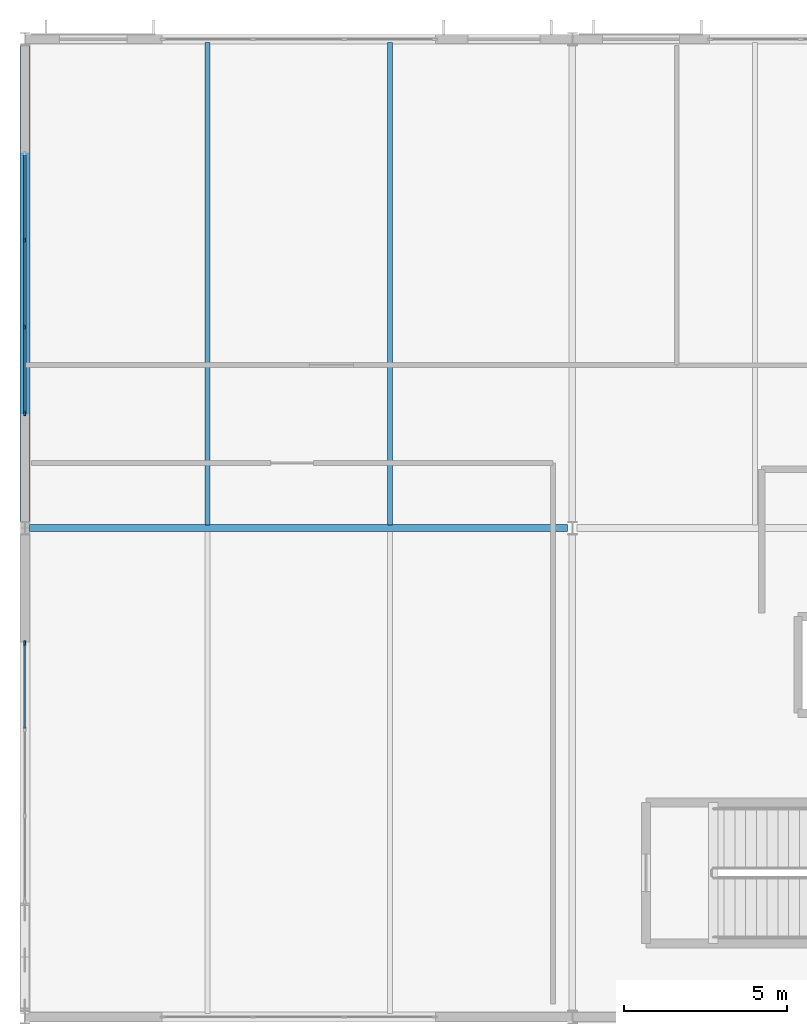
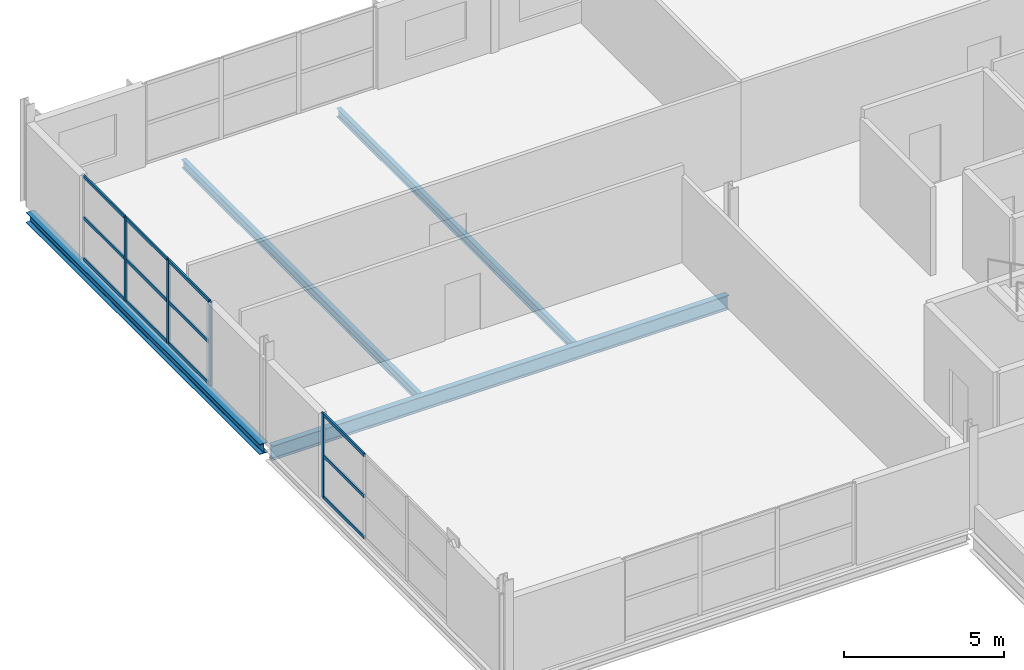
# One storey, part 12 of 36: 16 members, 4 beams, 2 elements without a shape of their own.
"""IFC4 building model written with IfcOpenShell, lengths in metres."""

from ifc_helpers import new_model, si_unit, direction, frame, origin, origin_2d, place, context, subcontext, project, spatial, rectangle, i_section, extrude, material, material_profile, profile_set, type_object, element, aggregate, save


model = new_model("IFC4")

# Units and contexts
model_context = context("Model", 3, precision=1e-05, world=origin(), true_north=direction((0.0, 1.0)))
body_context = subcontext(model_context, "Body", "Model", "MODEL_VIEW")
ifc_project = project(units=[si_unit("LENGTHUNIT", "METRE"), si_unit("AREAUNIT", "SQUARE_METRE"), si_unit("VOLUMEUNIT", "CUBIC_METRE"), si_unit("PLANEANGLEUNIT", "RADIAN"), si_unit("MASSUNIT", "GRAM", prefix="KILO")], contexts=[model_context])

# Site, building, storey
site_placement = place(None, origin())
site = spatial("IfcSite", under=ifc_project, at=site_placement, CompositionType="ELEMENT")
building_placement = place(site_placement, origin())
building = spatial("IfcBuilding", under=site, at=building_placement, Name="Kimbaza Rail Terminus", CompositionType="ELEMENT")
storey_placement = place(building_placement, frame((0.0, 0.0, 21.0)))
storey = spatial("IfcBuildingStorey", under=building, at=storey_placement, Name="L04", CompositionType="ELEMENT", Elevation=21.0)

# Curtain wall, member
ifc_material_1 = material(Name="Anodised aluminium framing and solar low-E glazing", Category="aluminium")
curtain_wall_type = type_object("IfcCurtainWallType", Name="ARC-CW-OP2", PredefinedType="USERDEFINED", material=ifc_material_1)
curtain_wall_1_placement = place(storey_placement, origin())
curtain_wall_1 = element("IfcCurtainWall", 1, at=curtain_wall_1_placement, inside=storey, type_object=curtain_wall_type, Name="Operations W Curtain Wall L04.1", ObjectType="STICK CURTAIN WALL", PredefinedType="USERDEFINED")
ifc_material_2 = material(Name="Anodised architectural aluminium", Category="aluminium")
ifc_material_profile_1 = material_profile(ifc_material_2, rectangle(XDim=0.05810546875, YDim=0.14990234375, at=origin_2d()), Name="MULLION 58x150")
ifc_profile_set_1 = profile_set([ifc_material_profile_1], Name="Anodised architectural aluminium")
member_type_1 = type_object("IfcMemberType", Name="ARC-CWM-06", PredefinedType="MULLION", material=ifc_profile_set_1)
member_1_placement = place(storey_placement, frame((55.199951171875, 114.470947265625, 0.0), z_axis=(0.0, 0.0, 1.0), x_axis=(-1.0, 0.0, 0.0)))
member_1 = element("IfcMember", 2, at=member_1_placement, type_object=member_type_1, Name="CW-06 mullion 4", PredefinedType="MULLION", context=body_context, shape_type="SweptSolid", body=[
    extrude(rectangle(XDim=0.05810546875, YDim=0.14990234375, at=origin_2d()), origin(), (0.0, 0.0, 1.0), 3.205078125),
])

# Curtain wall, members
curtain_wall_2_placement = place(storey_placement, origin())
curtain_wall_2 = element("IfcCurtainWall", 3, at=curtain_wall_2_placement, inside=storey, type_object=curtain_wall_type, Name="Operations W Curtain Wall L04.2", ObjectType="STICK CURTAIN WALL", PredefinedType="USERDEFINED")
member_2_placement = place(storey_placement, frame((55.199951171875, 121.529052734375, 0.0), z_axis=(0.0, 0.0, 1.0), x_axis=(-1.0, 0.0, 0.0)))
member_2 = element("IfcMember", 4, at=member_2_placement, type_object=member_type_1, Name="CW-06 mullion 1", PredefinedType="MULLION", context=body_context, shape_type="SweptSolid", body=[
    extrude(rectangle(XDim=0.05810546875, YDim=0.14990234375, at=origin_2d()), origin(), (0.0, 0.0, 1.0), 3.205078125),
])
member_3_placement = place(storey_placement, frame((55.199951171875, 124.166748046875, 0.0), z_axis=(0.0, 0.0, 1.0), x_axis=(-1.0, 0.0, 0.0)))
member_3 = element("IfcMember", 5, at=member_3_placement, type_object=member_type_1, Name="CW-06 mullion 2", PredefinedType="MULLION", context=body_context, shape_type="SweptSolid", body=[
    extrude(rectangle(XDim=0.05810546875, YDim=0.14990234375, at=origin_2d()), origin(), (0.0, 0.0, 1.0), 3.205078125),
])
member_4_placement = place(storey_placement, frame((55.199951171875, 126.833251953125, 0.0), z_axis=(0.0, 0.0, 1.0), x_axis=(-1.0, 0.0, 0.0)))
member_4 = element("IfcMember", 6, at=member_4_placement, type_object=member_type_1, Name="CW-06 mullion 3", PredefinedType="MULLION", context=body_context, shape_type="SweptSolid", body=[
    extrude(rectangle(XDim=0.05810546875, YDim=0.14990234375, at=origin_2d()), origin(), (0.0, 0.0, 1.0), 3.205078125),
])

# Member
ifc_material_3 = material(Name="Anodised architectural aluminium", Category="aluminium")
ifc_material_profile_2 = material_profile(ifc_material_3, rectangle(XDim=0.05810546875, YDim=0.125, at=origin_2d()), Name="TRANSOM 58x125")
ifc_profile_set_2 = profile_set([ifc_material_profile_2], Name="Anodised architectural aluminium")
member_type_2 = type_object("IfcMemberType", Name="ARC-CWT-06", PredefinedType="USERDEFINED", material=ifc_profile_set_2)
member_5_placement = place(storey_placement, frame((55.199951171875, 111.8623046875, 0.029052734375), z_axis=(0.0, 1.0, 0.0), x_axis=(-1.0, 0.0, 0.0)))
member_5 = element("IfcMember", 7, at=member_5_placement, type_object=member_type_2, Name="CW-06 transom 3.1", ObjectType="TRANSOM", PredefinedType="USERDEFINED", context=body_context, shape_type="SweptSolid", body=[
    extrude(rectangle(XDim=0.05810546875, YDim=0.125, at=origin_2d()), origin(), (0.0, 0.0, 1.0), 2.57958984375),
])

member_6_placement = place(storey_placement, frame((55.199951171875, 111.8623046875, 1.6025390625), z_axis=(0.0, 1.0, 0.0), x_axis=(-1.0, 0.0, 0.0)))
member_6 = element("IfcMember", 8, at=member_6_placement, type_object=member_type_2, Name="CW-06 transom 3.2", ObjectType="TRANSOM", PredefinedType="USERDEFINED", context=body_context, shape_type="SweptSolid", body=[
    extrude(rectangle(XDim=0.05810546875, YDim=0.125, at=origin_2d()), origin(), (0.0, 0.0, 1.0), 2.57958984375),
])

member_7_placement = place(storey_placement, frame((55.199951171875, 111.8623046875, 3.176025390625), z_axis=(0.0, 1.0, 0.0), x_axis=(-1.0, 0.0, 0.0)))
member_7 = element("IfcMember", 9, at=member_7_placement, type_object=member_type_2, Name="CW-06 transom 3.3", ObjectType="TRANSOM", PredefinedType="USERDEFINED", context=body_context, shape_type="SweptSolid", body=[
    extrude(rectangle(XDim=0.05810546875, YDim=0.125, at=origin_2d()), origin(), (0.0, 0.0, 1.0), 2.57958984375),
])

aggregate(curtain_wall_1, [member_1, member_5, member_6, member_7])

member_8_placement = place(storey_placement, frame((55.199951171875, 121.55810546875, 0.029052734375), z_axis=(0.0, 1.0, 0.0), x_axis=(-1.0, 0.0, 0.0)))
member_8 = element("IfcMember", 10, at=member_8_placement, type_object=member_type_2, Name="CW-06 transom 1.1", ObjectType="TRANSOM", PredefinedType="USERDEFINED", context=body_context, shape_type="SweptSolid", body=[
    extrude(rectangle(XDim=0.05810546875, YDim=0.125, at=origin_2d()), origin(), (0.0, 0.0, 1.0), 2.57958984375),
])

member_9_placement = place(storey_placement, frame((55.199951171875, 121.55810546875, 1.6025390625), z_axis=(0.0, 1.0, 0.0), x_axis=(-1.0, 0.0, 0.0)))
member_9 = element("IfcMember", 11, at=member_9_placement, type_object=member_type_2, Name="CW-06 transom 1.2", ObjectType="TRANSOM", PredefinedType="USERDEFINED", context=body_context, shape_type="SweptSolid", body=[
    extrude(rectangle(XDim=0.05810546875, YDim=0.125, at=origin_2d()), origin(), (0.0, 0.0, 1.0), 2.57958984375),
])

member_10_placement = place(storey_placement, frame((55.199951171875, 121.55810546875, 3.176025390625), z_axis=(0.0, 1.0, 0.0), x_axis=(-1.0, 0.0, 0.0)))
member_10 = element("IfcMember", 12, at=member_10_placement, type_object=member_type_2, Name="CW-06 transom 1.3", ObjectType="TRANSOM", PredefinedType="USERDEFINED", context=body_context, shape_type="SweptSolid", body=[
    extrude(rectangle(XDim=0.05810546875, YDim=0.125, at=origin_2d()), origin(), (0.0, 0.0, 1.0), 2.57958984375),
])

member_11_placement = place(storey_placement, frame((55.199951171875, 124.195556640625, 0.029052734375), z_axis=(0.0, 1.0, 0.0), x_axis=(-1.0, 0.0, 0.0)))
member_11 = element("IfcMember", 13, at=member_11_placement, type_object=member_type_2, Name="CW-06 transom 2.1", ObjectType="TRANSOM", PredefinedType="USERDEFINED", context=body_context, shape_type="SweptSolid", body=[
    extrude(rectangle(XDim=0.05810546875, YDim=0.125, at=origin_2d()), origin(), (0.0, 0.0, 1.0), 2.60888671875),
])

member_12_placement = place(storey_placement, frame((55.199951171875, 124.195556640625, 1.6025390625), z_axis=(0.0, 1.0, 0.0), x_axis=(-1.0, 0.0, 0.0)))
member_12 = element("IfcMember", 14, at=member_12_placement, type_object=member_type_2, Name="CW-06 transom 2.2", ObjectType="TRANSOM", PredefinedType="USERDEFINED", context=body_context, shape_type="SweptSolid", body=[
    extrude(rectangle(XDim=0.05810546875, YDim=0.125, at=origin_2d()), origin(), (0.0, 0.0, 1.0), 2.60888671875),
])

member_13_placement = place(storey_placement, frame((55.199951171875, 124.195556640625, 3.176025390625), z_axis=(0.0, 1.0, 0.0), x_axis=(-1.0, 0.0, 0.0)))
member_13 = element("IfcMember", 15, at=member_13_placement, type_object=member_type_2, Name="CW-06 transom 2.3", ObjectType="TRANSOM", PredefinedType="USERDEFINED", context=body_context, shape_type="SweptSolid", body=[
    extrude(rectangle(XDim=0.05810546875, YDim=0.125, at=origin_2d()), origin(), (0.0, 0.0, 1.0), 2.60888671875),
])

member_14_placement = place(storey_placement, frame((55.199951171875, 126.8623046875, 0.029052734375), z_axis=(0.0, 1.0, 0.0), x_axis=(-1.0, 0.0, 0.0)))
member_14 = element("IfcMember", 16, at=member_14_placement, type_object=member_type_2, Name="CW-06 transom 3.1", ObjectType="TRANSOM", PredefinedType="USERDEFINED", context=body_context, shape_type="SweptSolid", body=[
    extrude(rectangle(XDim=0.05810546875, YDim=0.125, at=origin_2d()), origin(), (0.0, 0.0, 1.0), 2.57958984375),
])

member_15_placement = place(storey_placement, frame((55.199951171875, 126.8623046875, 1.6025390625), z_axis=(0.0, 1.0, 0.0), x_axis=(-1.0, 0.0, 0.0)))
member_15 = element("IfcMember", 17, at=member_15_placement, type_object=member_type_2, Name="CW-06 transom 3.2", ObjectType="TRANSOM", PredefinedType="USERDEFINED", context=body_context, shape_type="SweptSolid", body=[
    extrude(rectangle(XDim=0.05810546875, YDim=0.125, at=origin_2d()), origin(), (0.0, 0.0, 1.0), 2.57958984375),
])

member_16_placement = place(storey_placement, frame((55.199951171875, 126.8623046875, 3.176025390625), z_axis=(0.0, 1.0, 0.0), x_axis=(-1.0, 0.0, 0.0)))
member_16 = element("IfcMember", 18, at=member_16_placement, type_object=member_type_2, Name="CW-06 transom 3.3", ObjectType="TRANSOM", PredefinedType="USERDEFINED", context=body_context, shape_type="SweptSolid", body=[
    extrude(rectangle(XDim=0.05810546875, YDim=0.125, at=origin_2d()), origin(), (0.0, 0.0, 1.0), 2.57958984375),
])

aggregate(curtain_wall_2, [member_2, member_3, member_4, member_8, member_9, member_10, member_11, member_12, member_13, member_14, member_15, member_16])

# Beams
ifc_material_4 = material(Name="Steel S355", Category="steel")
ifc_material_profile_3 = material_profile(ifc_material_4, i_section(OverallWidth=0.300048828125, OverallDepth=0.389892578125, WebThickness=0.010986328125, FlangeThickness=0.01904296875, FilletRadius=0.027099609375, at=origin_2d()), Name="HEA 400")
ifc_profile_set_3 = profile_set([ifc_material_profile_3], Name="Steel S355")
beam_type_1 = type_object("IfcBeamType", Name="STR-BM-HEA400", PredefinedType="SPANDREL", material=ifc_profile_set_3)
beam_1_placement = place(storey_placement, frame((55.199951171875, 118.175048828125, -0.39501953125), z_axis=(0.0, 1.0, 0.0), x_axis=(-1.0, 0.0, 0.0)))
element("IfcBeam", 19, at=beam_1_placement, inside=storey, type_object=beam_type_1, Name="Operations Cross Girder L04 X0-Y1", PredefinedType="SPANDREL", context=body_context, shape_type="SweptSolid", body=[
    extrude(i_section(OverallWidth=0.300048828125, OverallDepth=0.389892578125, WebThickness=0.010986328125, FlangeThickness=0.01904296875, FilletRadius=0.027099609375, at=origin_2d()), origin(), (0.0, 0.0, 1.0), 14.64990234375),
])
ifc_material_5 = material(Name="Steel S355", Category="steel")
ifc_material_profile_4 = material_profile(ifc_material_5, i_section(OverallWidth=0.159912109375, OverallDepth=0.330078125, WebThickness=0.007568359375, FlangeThickness=0.011474609375, FilletRadius=0.01806640625, at=origin_2d()), Name="IPE 330")
ifc_profile_set_4 = profile_set([ifc_material_profile_4], Name="Steel S355")
beam_type_2 = type_object("IfcBeamType", Name="STR-BM-IPE330", PredefinedType="JOIST", material=ifc_profile_set_4)
for number, where, z_axis, x_axis, name in (
    (20, (60.800048828125, 118.10009765625, -0.364990234375), (0.0, 1.0, 0.0), (-1.0, 0.0, 0.0), "Operations Secondary Joist L04"),
    (21, (66.39990234375, 118.10009765625, -0.364990234375), (0.0, 1.0, 0.0), (-1.0, 0.0, 0.0), "Operations Secondary Joist L04"),
):
    element("IfcBeam", number, at=place(storey_placement, frame(where, z_axis=z_axis, x_axis=x_axis)), inside=storey, type_object=beam_type_2, Name=name, PredefinedType="JOIST", context=body_context, shape_type="SweptSolid", body=[
        extrude(i_section(OverallWidth=0.159912109375, OverallDepth=0.330078125, WebThickness=0.007568359375, FlangeThickness=0.011474609375, FilletRadius=0.01806640625, at=origin_2d()), origin(), (0.0, 0.0, 1.0), 14.7998046875),
    ])
ifc_material_6 = material(Name="Steel S355", Category="steel")
ifc_material_profile_5 = material_profile(ifc_material_6, i_section(OverallWidth=0.2099609375, OverallDepth=0.550048828125, WebThickness=0.010986328125, FlangeThickness=0.01708984375, FilletRadius=0.02392578125, at=origin_2d()), Name="IPE 550")
ifc_profile_set_5 = profile_set([ifc_material_profile_5], Name="Steel S355")
beam_type_3 = type_object("IfcBeamType", Name="STR-BM-IPE550", PredefinedType="BEAM", material=ifc_profile_set_5)
beam_2_placement = place(storey_placement, frame((55.345947265625, 118.0, -0.47509765625), z_axis=(1.0, 0.0, 0.0), x_axis=(0.0, 1.0, 0.0)))
element("IfcBeam", 22, at=beam_2_placement, inside=storey, type_object=beam_type_3, Name="Operations Girder L04 X0-Y1", PredefinedType="BEAM", context=body_context, shape_type="SweptSolid", body=[
    extrude(i_section(OverallWidth=0.2099609375, OverallDepth=0.550048828125, WebThickness=0.010986328125, FlangeThickness=0.01708984375, FilletRadius=0.02392578125, at=origin_2d()), origin(), (0.0, 0.0, 1.0), 16.508056640625),
])

save(model, "model.ifc")
